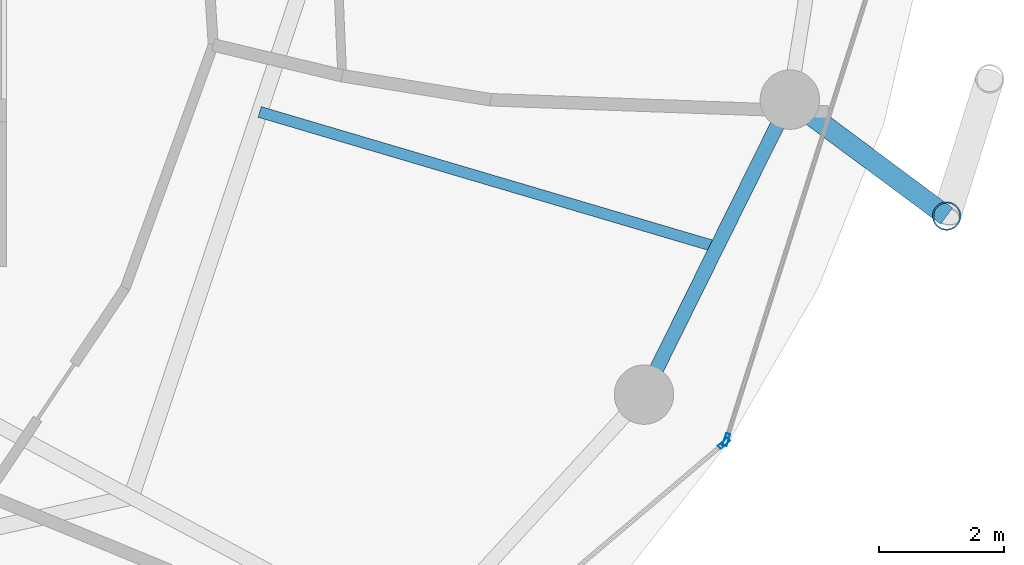
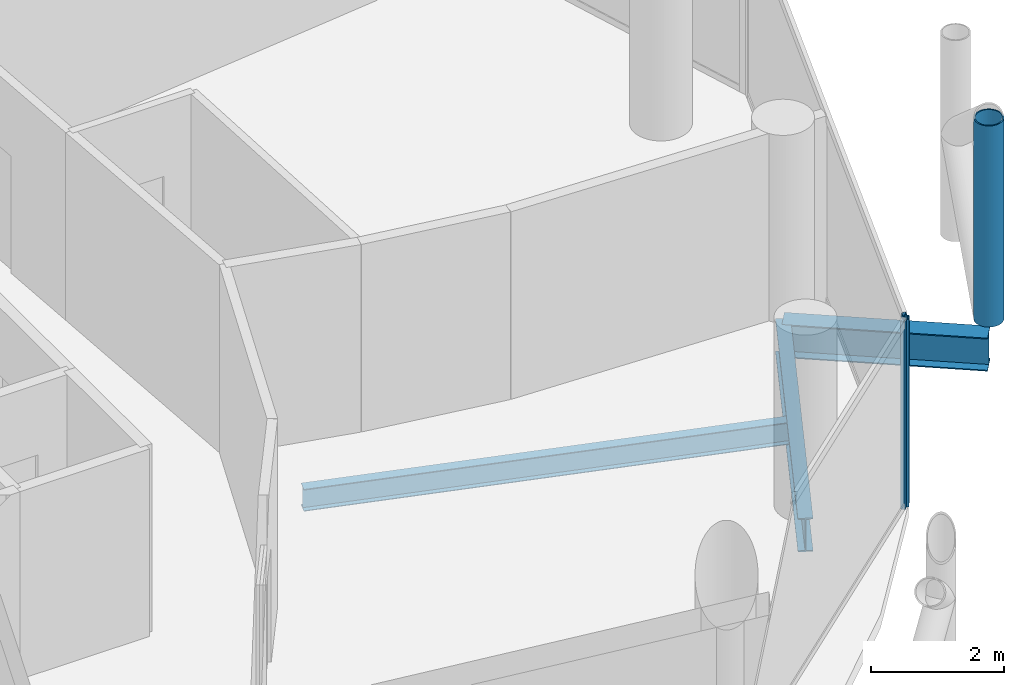
# One storey, part 10 of 26: 3 beams, 3 members, 2 elements without a shape of their own.
"""IFC4 building model written with IfcOpenShell, lengths in metres."""

from ifc_helpers import new_model, si_unit, direction, frame, origin, origin_2d, place, context, subcontext, project, spatial, hollow_rectangle, hollow_circle, i_section, extrude, material, layer, layer_set, material_profile, profile_set, type_object, element, aggregate, save


model = new_model("IFC4")

# Units and contexts
model_context = context("Model", 3, precision=1e-05, world=origin(), true_north=direction((0.0, 1.0)))
body_context = subcontext(model_context, "Body", "Model", "MODEL_VIEW")
ifc_project = project(units=[si_unit("LENGTHUNIT", "METRE"), si_unit("AREAUNIT", "SQUARE_METRE"), si_unit("VOLUMEUNIT", "CUBIC_METRE"), si_unit("PLANEANGLEUNIT", "RADIAN"), si_unit("MASSUNIT", "GRAM", prefix="KILO")], contexts=[model_context])

# Site, building, storey
site_placement = place(None, origin())
site = spatial("IfcSite", under=ifc_project, at=site_placement, CompositionType="ELEMENT")
building_placement = place(site_placement, origin())
building = spatial("IfcBuilding", under=site, at=building_placement, Name="Nuhasar Tower", CompositionType="ELEMENT")
storey_placement = place(building_placement, frame((0.0, 0.0, 118.25)))
storey = spatial("IfcBuildingStorey", under=building, at=storey_placement, Name="L27", CompositionType="ELEMENT", Elevation=118.25)

# Beams
ifc_material_1 = material(Name="Steel S355", Category="steel")
ifc_material_profile_1 = material_profile(ifc_material_1, i_section(OverallWidth=0.177978515625, OverallDepth=0.406005859375, WebThickness=0.0078125, FlangeThickness=0.0126953125, at=origin_2d()), Name="W16X40")
ifc_profile_set_1 = profile_set([ifc_material_profile_1], Name="Steel S355")
beam_type_1 = type_object("IfcBeamType", Name="BM-JST-W16X40", PredefinedType="JOIST", material=ifc_profile_set_1)
beam_1_placement = place(storey_placement, frame((53.0791015625, 21.54296875, -0.452880859375), z_axis=(0.959000494697, -0.283404395116, 0.0), x_axis=(0.283404395116, 0.959000494697, 0.0)))
element("IfcBeam", 1, at=beam_1_placement, inside=storey, type_object=beam_type_1, Name="L27 Secondary Floor Joist 03", PredefinedType="JOIST", context=body_context, shape_type="SweptSolid", body=[
    extrude(i_section(OverallWidth=0.177978515625, OverallDepth=0.406005859375, WebThickness=0.0078125, FlangeThickness=0.0126953125, at=origin_2d()), origin(), (0.0, 0.0, 1.0), 7.621337890625),
])
ifc_material_profile_2 = material_profile(ifc_material_1, i_section(OverallWidth=0.22998046875, OverallDepth=0.616943359375, WebThickness=0.01318359375, FlangeThickness=0.022216796875, at=origin_2d()), Name="W24X94")
ifc_profile_set_2 = profile_set([ifc_material_profile_2], Name="Steel S355")
beam_type_2 = type_object("IfcBeamType", Name="BM-RING-W24X94", PredefinedType="SPANDREL", material=ifc_profile_set_2)
beam_2_placement = place(storey_placement, frame((59.221923828125, 17.02490234375, -0.55810546875), z_axis=(0.443329327657, 0.896358804966, 0.0), x_axis=(-0.896358804966, 0.443329327657, 0.0)))
element("IfcBeam", 2, at=beam_2_placement, inside=storey, type_object=beam_type_2, Name="L27 Perimeter Ring Spandrel 23", PredefinedType="SPANDREL", context=body_context, shape_type="SweptSolid", body=[
    extrude(i_section(OverallWidth=0.22998046875, OverallDepth=0.616943359375, WebThickness=0.01318359375, FlangeThickness=0.022216796875, at=origin_2d()), origin(), (0.0, 0.0, 1.0), 5.26025390625),
])
ifc_material_profile_3 = material_profile(ifc_material_1, i_section(OverallWidth=0.323974609375, OverallDepth=0.611083984375, WebThickness=0.0126953125, FlangeThickness=0.01904296875, at=origin_2d()), Name="W24X104")
ifc_profile_set_3 = profile_set([ifc_material_profile_3], Name="Steel S355")
beam_type_3 = type_object("IfcBeamType", Name="BM-TIE-W24X104", PredefinedType="BEAM", material=ifc_profile_set_3)
beam_3_placement = place(storey_placement, frame((61.553955078125, 21.739990234375, -0.554931640625), z_axis=(0.80283476238, -0.596201597041, 0.0), x_axis=(0.596201597041, 0.80283476238, 0.0)))
element("IfcBeam", 3, at=beam_3_placement, inside=storey, type_object=beam_type_3, Name="L27 Exoskeleton Node Tie Beam 12", PredefinedType="BEAM", context=body_context, shape_type="SweptSolid", body=[
    extrude(i_section(OverallWidth=0.323974609375, OverallDepth=0.611083984375, WebThickness=0.0126953125, FlangeThickness=0.01904296875, at=origin_2d()), origin(), (0.0, 0.0, 1.0), 3.12158203125),
])

# Curtain wall, member
ifc_material_2 = material(Name="Aluminium 6063-T6", Category="aluminium")
ifc_layer = layer(ifc_material_2, 0.199951171875)
ifc_layer_set = layer_set([ifc_layer], Name="Aluminium 6063-T6")
curtain_wall_type = type_object("IfcCurtainWallType", Name="CW-Z2-HTL", PredefinedType="NOTDEFINED", material=ifc_layer_set)
curtain_wall_1_placement = place(storey_placement, origin())
curtain_wall_1 = element("IfcCurtainWall", 4, at=curtain_wall_1_placement, inside=storey, type_object=curtain_wall_type, Name="L27 Unitised Curtain Wall 11", PredefinedType="NOTDEFINED")
ifc_material_profile_4 = material_profile(ifc_material_2, hollow_rectangle(XDim=0.070068359375, YDim=0.199951171875, WallThickness=0.0048828125, at=origin_2d()), Name="CWM-3")
ifc_profile_set_4 = profile_set([ifc_material_profile_4], Name="Aluminium 6063-T6")
member_type_1 = type_object("IfcMemberType", Name="CW-MUL-S3", PredefinedType="MULLION", material=ifc_profile_set_4)
member_1_placement = place(storey_placement, frame((60.502197265625, 16.247314453125, 0.0), z_axis=(0.0, 0.0, 1.0), x_axis=(-0.646374438324, 0.763020370292, 0.0)))
member_1 = element("IfcMember", 5, at=member_1_placement, type_object=member_type_1, Name="CW-Z2 mullion 2", PredefinedType="MULLION", context=body_context, shape_type="SweptSolid", body=[
    extrude(hollow_rectangle(XDim=0.070068359375, YDim=0.199951171875, WallThickness=0.0048828125, at=origin_2d()), origin(), (0.0, 0.0, 1.0), 3.449951171875),
])
aggregate(curtain_wall_1, [member_1])

curtain_wall_2_placement = place(storey_placement, origin())
curtain_wall_2 = element("IfcCurtainWall", 6, at=curtain_wall_2_placement, inside=storey, type_object=curtain_wall_type, Name="L27 Unitised Curtain Wall 12", PredefinedType="NOTDEFINED")
member_2_placement = place(storey_placement, frame((60.53955078125, 16.303466796875, 0.0), z_axis=(0.0, 0.0, 1.0), x_axis=(-0.953433389233, 0.301603667577, 0.0)))
member_2 = element("IfcMember", 7, at=member_2_placement, type_object=member_type_1, Name="CW-Z2 mullion 1", PredefinedType="MULLION", context=body_context, shape_type="SweptSolid", body=[
    extrude(hollow_rectangle(XDim=0.070068359375, YDim=0.199951171875, WallThickness=0.0048828125, at=origin_2d()), origin(), (0.0, 0.0, 1.0), 3.449951171875),
])
aggregate(curtain_wall_2, [member_2])

# Member
ifc_material_3 = material(Name="Steel S460", Category="steel")
ifc_material_profile_5 = material_profile(ifc_material_3, hollow_circle(Radius=0.228515625, WallThickness=0.022216796875, at=origin_2d()), Name="HSS457X22.2")
ifc_profile_set_5 = profile_set([ifc_material_profile_5], Name="Steel S460")
member_type_2 = type_object("IfcMemberType", Name="EXO-BRONZE-457", PredefinedType="BRACE", material=ifc_profile_set_5)
member_3_placement = place(storey_placement, frame((64.06005859375, 19.87890625, 0.0), z_axis=(0.0, 0.0, 1.0), x_axis=(1.0, 0.0, 0.0)))
element("IfcMember", 8, at=member_3_placement, inside=storey, type_object=member_type_2, Name="L27 Exoskeleton Chord Column EC-12A", PredefinedType="BRACE", context=body_context, shape_type="SweptSolid", body=[
    extrude(hollow_circle(Radius=0.228515625, WallThickness=0.022216796875, at=origin_2d()), origin(), (0.0, 0.0, 1.0), 3.699951171875),
])

save(model, "model.ifc")
